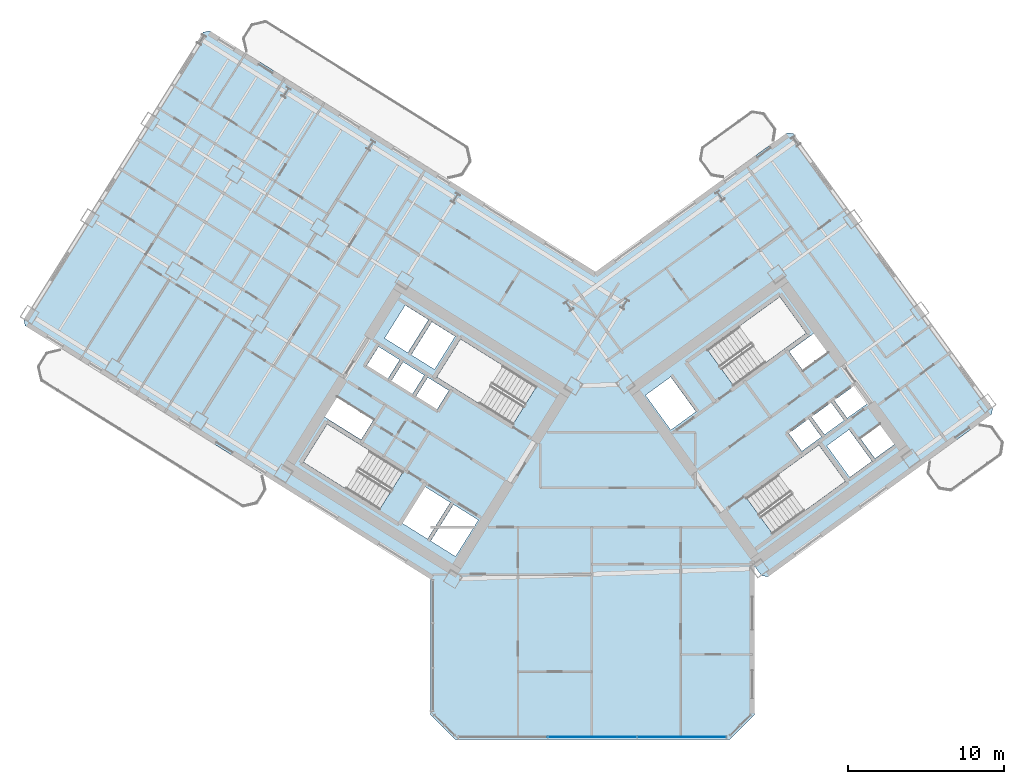
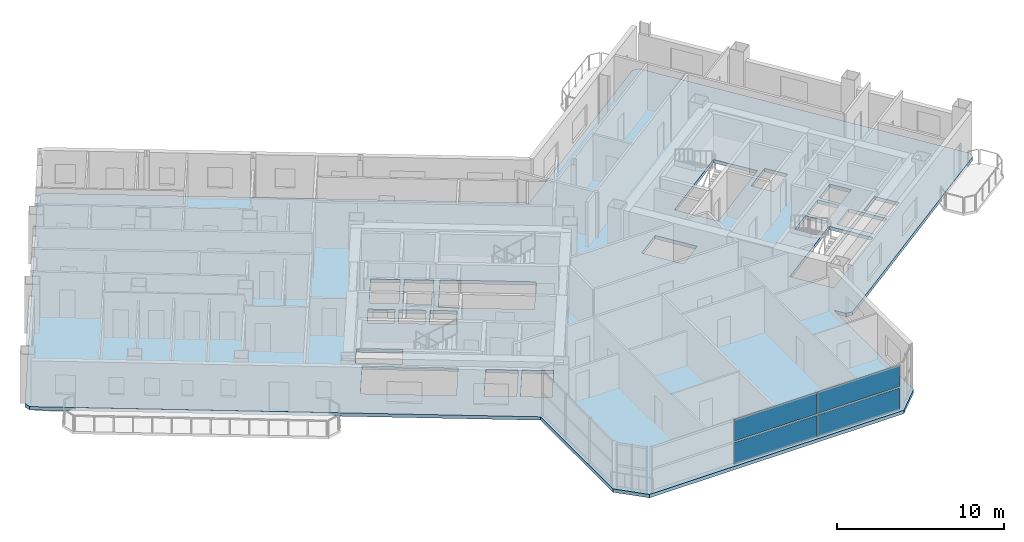
# One storey, part 9 of 21: 4 plates, 1 slab, 1 element without a shape of its own.
"""IFC4 building model written with IfcOpenShell, lengths in metres."""

from ifc_helpers import new_model, si_unit, direction, frame, origin, origin_2d, place, context, subcontext, project, spatial, polyline, rectangle, outline, extrude, source, transform, mapped, material, layer, layer_set, type_object, element, aggregate, save


model = new_model("IFC4")

# Units and contexts
model_context = context("Model", 3, precision=1e-05, world=origin(), true_north=direction((0.0, 1.0)))
body_context = subcontext(model_context, "Body", "Model", "MODEL_VIEW")
ifc_project = project(units=[si_unit("LENGTHUNIT", "METRE"), si_unit("AREAUNIT", "SQUARE_METRE"), si_unit("VOLUMEUNIT", "CUBIC_METRE"), si_unit("PLANEANGLEUNIT", "RADIAN"), si_unit("MASSUNIT", "GRAM", prefix="KILO")], contexts=[model_context])

# Site, building, storey
site_placement = place(None, origin())
site = spatial("IfcSite", under=ifc_project, at=site_placement, CompositionType="ELEMENT")
building_placement = place(site_placement, origin())
building = spatial("IfcBuilding", under=site, at=building_placement, Name="Tlacorven Tower", CompositionType="ELEMENT")
storey_placement = place(building_placement, frame((0.0, 0.0, 93.60009765625)))
storey = spatial("IfcBuildingStorey", under=building, at=storey_placement, Name="L23", CompositionType="ELEMENT", Elevation=93.60009765625)

# Slab
ifc_material_1 = material(Name="Concrete C40/50", Category="concrete")
ifc_layer_1 = layer(ifc_material_1, 0.25)
ifc_layer_set_1 = layer_set([ifc_layer_1], Name="Concrete C40/50")
slab_type = type_object("IfcSlabType", Name="SL-TWR-250", PredefinedType="FLOOR", material=ifc_layer_set_1)
slab_placement = place(storey_placement, frame((0.0, 0.0, -0.25)))
element("IfcSlab", 1, at=slab_placement, inside=storey, type_object=slab_type, Name="L23 Boomerang Tower Floor Slab", PredefinedType="FLOOR", context=body_context, shape_type="SweptSolid", body=[
    extrude(outline(polyline([(52.39990234375, 3.39990234375), (50.800048828125, 1.800048828125), (33.199951171875, 1.800048828125), (31.60009765625, 3.39990234375), (31.60009765625, 12.09423828125), (5.62451171875, 28.32568359375), (5.529052734375, 28.739013671875), (17.0390625, 47.15869140625), (17.452392578125, 47.254150390625), (42.19970703125, 31.790283203125), (54.481689453125, 40.713623046875), (54.90087890625, 40.647216796875), (67.66748046875, 23.075439453125), (67.60107421875, 22.656494140625), (53.265380859375, 12.24072265625), (52.846435546875, 12.30712890625), (52.39990234375, 12.921630859375), (52.39990234375, 3.39990234375)]), holes=[polyline([(29.865478515625, 18.979736328125), (24.9892578125, 22.02685546875), (23.463134765625, 19.58447265625), (28.33935546875, 16.537353515625), (29.865478515625, 18.979736328125)]), polyline([(38.4169921875, 24.4375), (33.540771484375, 27.484375), (32.0146484375, 25.0419921875), (36.890869140625, 21.9951171875), (38.4169921875, 24.4375)]), polyline([(51.05908203125, 24.481689453125), (55.7109375, 27.861572265625), (54.01806640625, 30.19140625), (49.3662109375, 26.811767578125), (51.05908203125, 24.481689453125)]), polyline([(53.56298828125, 14.978759765625), (58.21484375, 18.3583984375), (56.52197265625, 20.6884765625), (51.8701171875, 17.30859375), (53.56298828125, 14.978759765625)]), polyline([(34.682373046875, 15.87548828125), (33.088134765625, 16.871826171875), (31.62548828125, 14.531005859375), (33.2197265625, 13.534912109375), (34.682373046875, 15.87548828125)]), polyline([(32.884521484375, 16.9990234375), (31.2392578125, 18.02685546875), (29.77685546875, 15.686279296875), (31.421875, 14.658203125), (32.884521484375, 16.9990234375)]), polyline([(47.0234375, 21.648681640625), (48.6416015625, 22.82421875), (47.019287109375, 25.05712890625), (45.401123046875, 23.881591796875), (47.0234375, 21.648681640625)]), polyline([(33.197265625, 27.65185546875), (31.704833984375, 28.58447265625), (30.3798828125, 26.46435546875), (31.87255859375, 25.53173828125), (33.197265625, 27.65185546875)]), polyline([(31.484375, 28.722412109375), (29.99169921875, 29.655029296875), (28.6669921875, 27.534912109375), (30.159423828125, 26.602294921875), (31.484375, 28.722412109375)]), polyline([(32.794921875, 24.17724609375), (31.43798828125, 25.025146484375), (30.685546875, 23.82080078125), (32.042236328125, 22.972900390625), (32.794921875, 24.17724609375)]), polyline([(31.217529296875, 25.162841796875), (29.860595703125, 26.0107421875), (29.108154296875, 24.806396484375), (30.465087890625, 23.958740234375), (31.217529296875, 25.162841796875)]), polyline([(29.64013671875, 26.1484375), (28.283203125, 26.996337890625), (27.53076171875, 25.792236328125), (28.8876953125, 24.9443359375), (29.64013671875, 26.1484375)]), polyline([(55.427734375, 20.288818359375), (56.68994140625, 21.205810546875), (55.855224609375, 22.354736328125), (54.59326171875, 21.437744140625), (55.427734375, 20.288818359375)]), polyline([(56.884033203125, 21.346923828125), (58.146240234375, 22.263916015625), (57.3115234375, 23.41259765625), (56.04931640625, 22.495849609375), (56.884033203125, 21.346923828125)]), polyline([(58.34033203125, 22.405029296875), (59.602294921875, 23.322021484375), (58.767578125, 24.470703125), (57.505615234375, 23.5537109375), (58.34033203125, 22.405029296875)]), polyline([(58.498779296875, 18.614013671875), (59.922607421875, 19.648681640625), (58.453125, 21.671142578125), (57.029296875, 20.63671875), (58.498779296875, 18.614013671875)]), polyline([(27.96142578125, 22.2919921875), (25.603759765625, 23.76513671875), (24.80908203125, 22.4931640625), (27.16650390625, 21.02001953125), (27.96142578125, 22.2919921875)]), polyline([(55.490478515625, 25.4765625), (57.092529296875, 26.640380859375), (56.210693359375, 27.85400390625), (54.60888671875, 26.690185546875), (55.490478515625, 25.4765625)]), polyline([(60.12109375, 19.817626953125), (61.38330078125, 20.734619140625), (60.45458984375, 22.012939453125), (59.192626953125, 21.095947265625), (60.12109375, 19.817626953125)])]), origin(), (0.0, 0.0, 1.0), 0.25),
])

# Curtain wall, plates
ifc_material_2 = material(Name="Dark solar low-E double glazing in aluminium frame", Category="aluminium")
curtain_wall_type = type_object("IfcCurtainWallType", Name="CW-TWR-LOW", PredefinedType="USERDEFINED", material=ifc_material_2)
curtain_wall_placement = place(storey_placement, origin())
curtain_wall = element("IfcCurtainWall", 2, at=curtain_wall_placement, inside=storey, type_object=curtain_wall_type, Name="L23 CW-TWR-LOW Curtain Wall 120", ObjectType="UNITISED CURTAIN WALL", PredefinedType="USERDEFINED")
ifc_material_3 = material(Name="Dark solar double low-E glazing", Category="glass")
ifc_layer_2 = layer(ifc_material_3, 0.031982421875)
ifc_layer_set_2 = layer_set([ifc_layer_2], Name="Dark solar double low-E glazing")
plate_type = type_object("IfcPlateType", Name="CWP-02", PredefinedType="CURTAIN_PANEL", material=ifc_layer_set_2)
shared_shape_1 = source(origin(), body_context, "Body", "SweptSolid", [
    extrude(rectangle(XDim=5.668701171875, YDim=0.031982421875, at=origin_2d()), origin(), (0.0, 0.0, 1.0), 1.552978515625),
])
plate_1_placement = place(storey_placement, frame((47.73828125, 1.9599609375, 0.06103515625), z_axis=(0.0, 0.0, 1.0), x_axis=(-1.0, 0.0, 0.0)))
plate_1 = element("IfcPlate", 3, at=plate_1_placement, type_object=plate_type, Name="CW-L23-120 Glazing Panel 1", PredefinedType="CURTAIN_PANEL", context=body_context, shape_type="MappedRepresentation", body=[
    mapped(shared_shape_1, transform((0.0, 0.0, 0.0), scale=1.0)),
])
plate_2_placement = place(storey_placement, frame((47.73828125, 1.9599609375, 1.73583984375), z_axis=(0.0, 0.0, 1.0), x_axis=(-1.0, 0.0, 0.0)))
plate_2 = element("IfcPlate", 4, at=plate_2_placement, type_object=plate_type, Name="CW-L23-120 Glazing Panel 2", PredefinedType="CURTAIN_PANEL", context=body_context, shape_type="MappedRepresentation", body=[
    mapped(shared_shape_1, transform((0.0, 0.0, 0.0), scale=1.0)),
])
shared_shape_2 = source(origin(), body_context, "Body", "SweptSolid", [
    extrude(rectangle(XDim=5.703857421875, YDim=0.031982421875, at=origin_2d()), origin(), (0.0, 0.0, 1.0), 1.552978515625),
])
plate_3_placement = place(storey_placement, frame((42.0, 1.9599609375, 0.06103515625), z_axis=(0.0, 0.0, 1.0), x_axis=(-1.0, 0.0, 0.0)))
plate_3 = element("IfcPlate", 5, at=plate_3_placement, type_object=plate_type, Name="CW-L23-120 Glazing Panel 3", PredefinedType="CURTAIN_PANEL", context=body_context, shape_type="MappedRepresentation", body=[
    mapped(shared_shape_2, transform((0.0, 0.0, 0.0), scale=1.0)),
])
plate_4_placement = place(storey_placement, frame((42.0, 1.9599609375, 1.73583984375), z_axis=(0.0, 0.0, 1.0), x_axis=(-1.0, 0.0, 0.0)))
plate_4 = element("IfcPlate", 6, at=plate_4_placement, type_object=plate_type, Name="CW-L23-120 Glazing Panel 4", PredefinedType="CURTAIN_PANEL", context=body_context, shape_type="MappedRepresentation", body=[
    mapped(shared_shape_2, transform((0.0, 0.0, 0.0), scale=1.0)),
])
aggregate(curtain_wall, [plate_1, plate_2, plate_3, plate_4])

save(model, "model.ifc")
